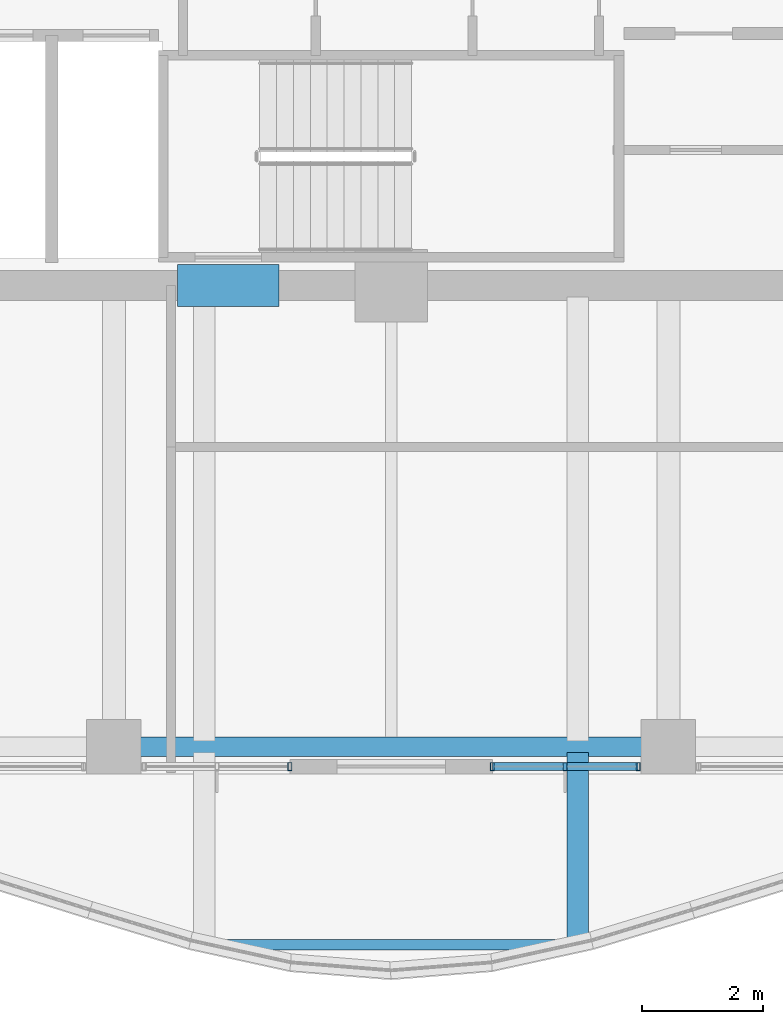
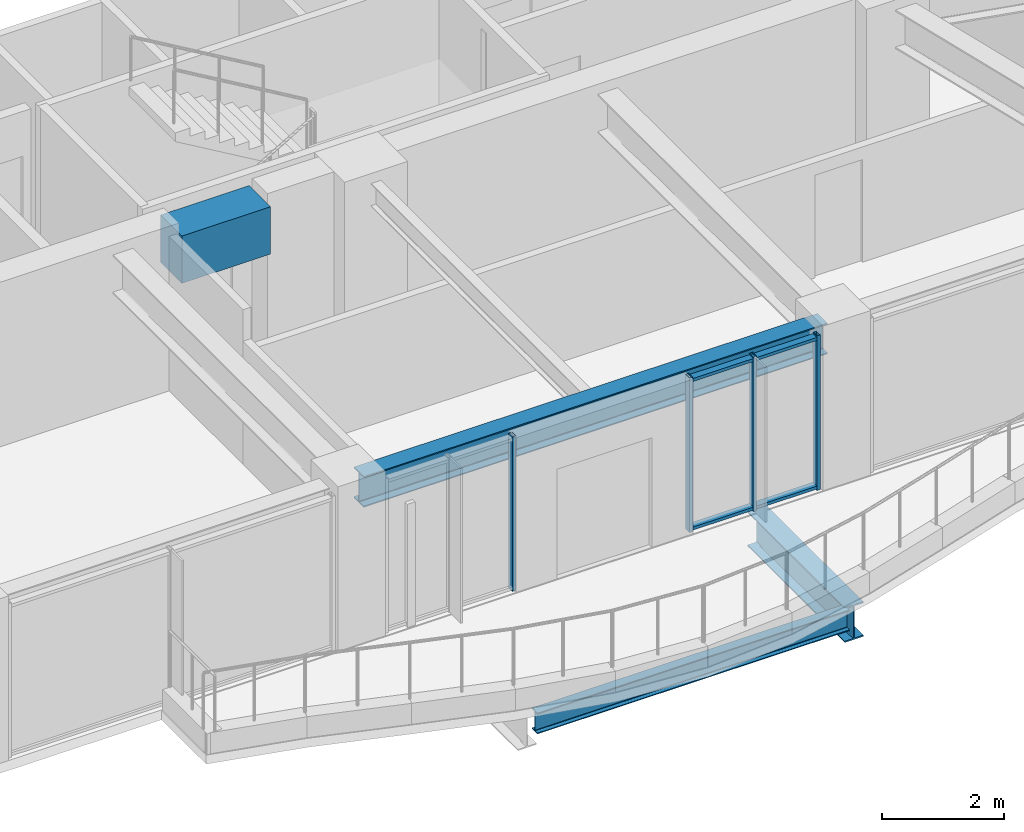
# One storey, part 6 of 31: 6 members, 4 beams, 2 elements without a shape of their own.
"""IFC4 building model written with IfcOpenShell, lengths in metres."""

from ifc_helpers import new_model, si_unit, direction, frame, origin, origin_2d, place, context, subcontext, project, spatial, rectangle, hollow_rectangle, i_section, extrude, material, material_profile, profile_set, type_object, element, aggregate, save


model = new_model("IFC4")

# Units and contexts
model_context = context("Model", 3, precision=1e-05, world=origin(), true_north=direction((0.0, 1.0)))
body_context = subcontext(model_context, "Body", "Model", "MODEL_VIEW")
ifc_project = project(units=[si_unit("LENGTHUNIT", "METRE"), si_unit("AREAUNIT", "SQUARE_METRE"), si_unit("VOLUMEUNIT", "CUBIC_METRE"), si_unit("PLANEANGLEUNIT", "RADIAN"), si_unit("MASSUNIT", "GRAM", prefix="KILO")], contexts=[model_context])

# Site, building, storey
site_placement = place(None, origin())
site = spatial("IfcSite", under=ifc_project, at=site_placement, CompositionType="ELEMENT")
building_placement = place(site_placement, origin())
building = spatial("IfcBuilding", under=site, at=building_placement, Name="Kolvaren Belvedere", CompositionType="ELEMENT")
storey_placement = place(building_placement, frame((0.0, 0.0, 138.199951171875)))
storey = spatial("IfcBuildingStorey", under=building, at=storey_placement, Name="L40", CompositionType="ELEMENT", Elevation=138.199951171875)

# Beams
ifc_material_1 = material(Name="Structural steel ASTM A992 Grade 50", Category="steel")
ifc_material_profile_1 = material_profile(ifc_material_1, i_section(OverallWidth=0.35498046875, OverallDepth=0.696044921875, WebThickness=0.015380859375, FlangeThickness=0.02490234375, FilletRadius=0.02197265625, at=origin_2d()), Name="W27X146")
ifc_profile_set_1 = profile_set([ifc_material_profile_1], Name="Structural steel ASTM A992 Grade 50")
beam_type_1 = type_object("IfcBeamType", Name="BM-CANT-BAL", PredefinedType="BEAM", material=ifc_profile_set_1)
beam_1_placement = place(storey_placement, frame((3.10009765625, -17.64501953125, -0.5478515625), z_axis=(0.0, -1.0, 0.0), x_axis=(1.0, 0.0, 0.0)))
element("IfcBeam", 1, at=beam_1_placement, inside=storey, type_object=beam_type_1, Name="L40 Planted Balcony Cantilever BAL-S-2", PredefinedType="BEAM", context=body_context, shape_type="SweptSolid", body=[
    extrude(i_section(OverallWidth=0.35498046875, OverallDepth=0.696044921875, WebThickness=0.015380859375, FlangeThickness=0.02490234375, FilletRadius=0.02197265625, at=origin_2d()), origin(), (0.0, 0.0, 1.0), 3.190673828125),
])
ifc_material_2 = material(Name="Structural steel ASTM A992 Grade 50", Category="steel")
ifc_material_profile_2 = material_profile(ifc_material_2, i_section(OverallWidth=0.180908203125, OverallDepth=0.4169921875, WebThickness=0.010986328125, FlangeThickness=0.018310546875, FilletRadius=0.013916015625, at=origin_2d()), Name="W16X57")
ifc_profile_set_2 = profile_set([ifc_material_profile_2], Name="Structural steel ASTM A992 Grade 50")
beam_type_2 = type_object("IfcBeamType", Name="BM-EDGE-W16X57", PredefinedType="BEAM", material=ifc_profile_set_2)
beam_2_placement = place(storey_placement, frame((-2.9599609375, -20.835693359375, -0.408447265625), z_axis=(1.0, 0.0, 0.0), x_axis=(0.0, 1.0, 0.0)))
element("IfcBeam", 2, at=beam_2_placement, inside=storey, type_object=beam_type_2, Name="L40 Balcony Tip Header Beam BAL-S", PredefinedType="BEAM", context=body_context, shape_type="SweptSolid", body=[
    extrude(i_section(OverallWidth=0.180908203125, OverallDepth=0.4169921875, WebThickness=0.010986328125, FlangeThickness=0.018310546875, FilletRadius=0.013916015625, at=origin_2d()), origin(), (0.0, 0.0, 1.0), 5.919921875),
])
ifc_material_3 = material(Name="Concrete C60/75", Category="concrete")
ifc_material_profile_3 = material_profile(ifc_material_3, rectangle(XDim=0.699951171875, YDim=0.949951171875, at=origin_2d()), Name="RC 700X950")
ifc_profile_set_3 = profile_set([ifc_material_profile_3], Name="Concrete C60/75")
beam_type_3 = type_object("IfcBeamType", Name="BM-LINT-950", PredefinedType="LINTEL", material=ifc_profile_set_3)
beam_3_placement = place(storey_placement, frame((-3.5400390625, -9.89990234375, 2.625), z_axis=(1.0, 0.0, 0.0), x_axis=(0.0, 1.0, 0.0)))
element("IfcBeam", 3, at=beam_3_placement, inside=storey, type_object=beam_type_3, Name="L40 South Core Coupling Lintel", PredefinedType="LINTEL", context=body_context, shape_type="SweptSolid", body=[
    extrude(rectangle(XDim=0.699951171875, YDim=0.949951171875, at=origin_2d()), origin(), (0.0, 0.0, 1.0), 1.679931640625),
])
ifc_material_4 = material(Name="Structural steel ASTM A992 Grade 50", Category="steel")
ifc_material_profile_4 = material_profile(ifc_material_4, i_section(OverallWidth=0.324951171875, OverallDepth=0.615966796875, WebThickness=0.013916015625, FlangeThickness=0.021484375, FilletRadius=0.02001953125, at=origin_2d()), Name="W24X117")
ifc_profile_set_4 = profile_set([ifc_material_profile_4], Name="Structural steel ASTM A992 Grade 50")
beam_type_4 = type_object("IfcBeamType", Name="BM-SPAN-W24X117", PredefinedType="SPANDREL", material=ifc_profile_set_4)
beam_4_placement = place(storey_placement, frame((-4.3974609375, -17.550048828125, 2.7919921875), z_axis=(1.0, 0.0, 0.0), x_axis=(0.0, 1.0, 0.0)))
element("IfcBeam", 4, at=beam_4_placement, inside=storey, type_object=beam_type_4, Name="L40 Perimeter Spandrel S2-S3", PredefinedType="SPANDREL", context=body_context, shape_type="SweptSolid", body=[
    extrude(i_section(OverallWidth=0.324951171875, OverallDepth=0.615966796875, WebThickness=0.013916015625, FlangeThickness=0.021484375, FilletRadius=0.02001953125, at=origin_2d()), origin(), (0.0, 0.0, 1.0), 8.794921875),
])

# Curtain wall, members
ifc_material_5 = material(Name="Anodised pale-metal aluminium AA 6063-T6", Category="aluminium")
curtain_wall_type = type_object("IfcCurtainWallType", Name="CW-Z3-WAIST", PredefinedType="NOTDEFINED", material=ifc_material_5)
curtain_wall_1_placement = place(storey_placement, origin())
curtain_wall_1 = element("IfcCurtainWall", 5, at=curtain_wall_1_placement, inside=storey, type_object=curtain_wall_type, Name="L40 Unitised Curtain Wall FCW-L40-S1-B2", PredefinedType="NOTDEFINED")
ifc_material_6 = material(Name="Anodised pale-metal aluminium AA 6063-T6", Category="aluminium")
ifc_material_profile_5 = material_profile(ifc_material_6, hollow_rectangle(XDim=0.06494140625, YDim=0.1298828125, WallThickness=0.00390625, at=origin_2d()), Name="ALU-MUL-130X65")
ifc_profile_set_5 = profile_set([ifc_material_profile_5], Name="Anodised pale-metal aluminium AA 6063-T6")
member_type_1 = type_object("IfcMemberType", Name="CW-MUL-130", PredefinedType="MULLION", material=ifc_profile_set_5)
member_1_placement = place(storey_placement, frame((4.097412109375, -17.8798828125, 0.0), z_axis=(0.0, 0.0, 1.0), x_axis=(1.0, 0.0, 0.0)))
member_1 = element("IfcMember", 6, at=member_1_placement, type_object=member_type_1, Name="FCW-L40-S1-B2 Unitised Mullion 1", PredefinedType="MULLION", context=body_context, shape_type="SweptSolid", body=[
    extrude(hollow_rectangle(XDim=0.06494140625, YDim=0.1298828125, WallThickness=0.00390625, at=origin_2d()), origin(), (0.0, 0.0, 1.0), 3.10009765625),
])
member_2_placement = place(storey_placement, frame((2.888671875, -17.8798828125, 0.0), z_axis=(0.0, 0.0, 1.0), x_axis=(1.0, 0.0, 0.0)))
member_2 = element("IfcMember", 7, at=member_2_placement, type_object=member_type_1, Name="FCW-L40-S1-B2 Unitised Mullion 2", PredefinedType="MULLION", context=body_context, shape_type="SweptSolid", body=[
    extrude(hollow_rectangle(XDim=0.06494140625, YDim=0.1298828125, WallThickness=0.00390625, at=origin_2d()), origin(), (0.0, 0.0, 1.0), 3.10009765625),
])
member_3_placement = place(storey_placement, frame((1.679931640625, -17.8798828125, 0.0), z_axis=(0.0, 0.0, 1.0), x_axis=(1.0, 0.0, 0.0)))
member_3 = element("IfcMember", 8, at=member_3_placement, type_object=member_type_1, Name="FCW-L40-S1-B2 Unitised Mullion 3", PredefinedType="MULLION", context=body_context, shape_type="SweptSolid", body=[
    extrude(hollow_rectangle(XDim=0.06494140625, YDim=0.1298828125, WallThickness=0.00390625, at=origin_2d()), origin(), (0.0, 0.0, 1.0), 3.10009765625),
])

# Curtain wall, member
curtain_wall_2_placement = place(storey_placement, origin())
curtain_wall_2 = element("IfcCurtainWall", 9, at=curtain_wall_2_placement, inside=storey, type_object=curtain_wall_type, Name="L40 Unitised Curtain Wall FCW-L40-S2-B1", PredefinedType="NOTDEFINED")
member_4_placement = place(storey_placement, frame((-1.679931640625, -17.8798828125, 0.0), z_axis=(0.0, 0.0, 1.0), x_axis=(1.0, 0.0, 0.0)))
member_4 = element("IfcMember", 10, at=member_4_placement, type_object=member_type_1, Name="FCW-L40-S2-B1 Unitised Mullion 1", PredefinedType="MULLION", context=body_context, shape_type="SweptSolid", body=[
    extrude(hollow_rectangle(XDim=0.06494140625, YDim=0.1298828125, WallThickness=0.00390625, at=origin_2d()), origin(), (0.0, 0.0, 1.0), 3.10009765625),
])
aggregate(curtain_wall_2, [member_4])

# Member
ifc_material_7 = material(Name="Anodised pale-metal aluminium AA 6063-T6", Category="aluminium")
ifc_material_profile_6 = material_profile(ifc_material_7, hollow_rectangle(XDim=0.06005859375, YDim=0.1298828125, WallThickness=0.00390625, at=origin_2d()), Name="ALU-TRN-130X60")
ifc_profile_set_6 = profile_set([ifc_material_profile_6], Name="Anodised pale-metal aluminium AA 6063-T6")
member_type_2 = type_object("IfcMemberType", Name="CW-TRN-130", PredefinedType="USERDEFINED", material=ifc_profile_set_6)
member_5_placement = place(storey_placement, frame((4.097412109375, -17.8798828125, 0.06005859375), z_axis=(-1.0, 0.0, 0.0), x_axis=(0.0, 0.0, 1.0)))
member_5 = element("IfcMember", 11, at=member_5_placement, type_object=member_type_2, Name="FCW-L40-S1-B2 Sill Transom", ObjectType="TRANSOM", PredefinedType="USERDEFINED", context=body_context, shape_type="SweptSolid", body=[
    extrude(hollow_rectangle(XDim=0.06005859375, YDim=0.1298828125, WallThickness=0.00390625, at=origin_2d()), origin(), (0.0, 0.0, 1.0), 2.41748046875),
])

member_6_placement = place(storey_placement, frame((4.097412109375, -17.8798828125, 3.0400390625), z_axis=(-1.0, 0.0, 0.0), x_axis=(0.0, 0.0, 1.0)))
member_6 = element("IfcMember", 12, at=member_6_placement, type_object=member_type_2, Name="FCW-L40-S1-B2 Head Transom", ObjectType="TRANSOM", PredefinedType="USERDEFINED", context=body_context, shape_type="SweptSolid", body=[
    extrude(hollow_rectangle(XDim=0.06005859375, YDim=0.1298828125, WallThickness=0.00390625, at=origin_2d()), origin(), (0.0, 0.0, 1.0), 2.41748046875),
])

aggregate(curtain_wall_1, [member_1, member_2, member_3, member_5, member_6])

save(model, "model.ifc")
